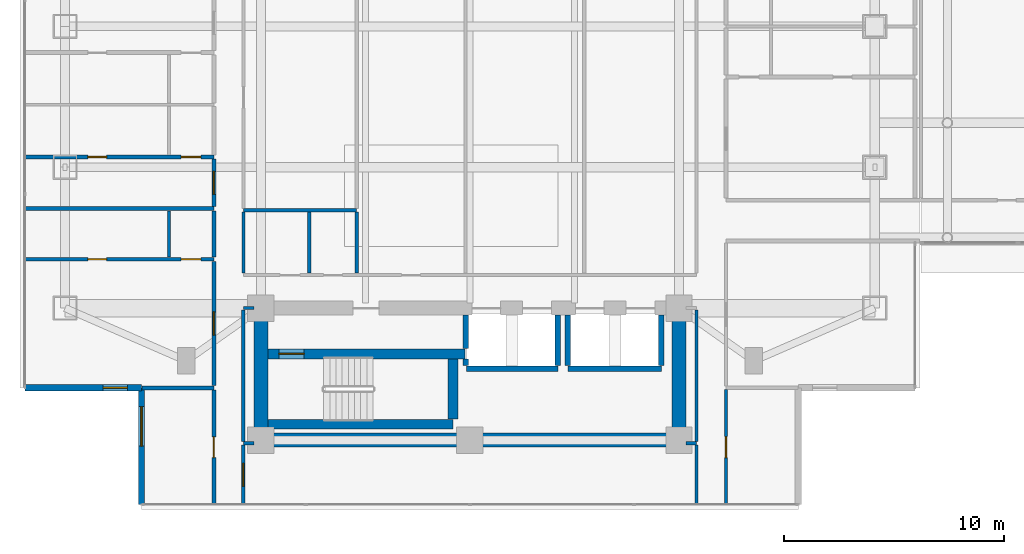
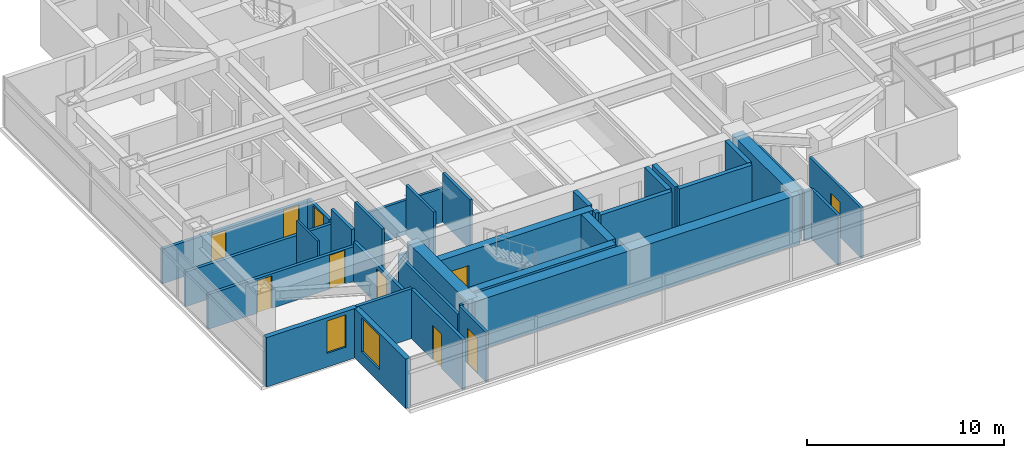
# One storey, part 15 of 29: 36 walls, 10 doors, 2 windows, 12 openings.
"""IFC4 building model written with IfcOpenShell, lengths in metres."""

from ifc_helpers import new_model, si_unit, direction, frame, frame_2d, origin, place, context, subcontext, project, spatial, rectangle, extrude, material, layer, layer_set, type_object, element, fill, save


model = new_model("IFC4")

# Units and contexts
model_context = context("Model", 3, precision=1e-05, world=origin(), true_north=direction((0.0, 1.0)))
body_context = subcontext(model_context, "Body", "Model", "MODEL_VIEW")
ifc_project = project(units=[si_unit("LENGTHUNIT", "METRE"), si_unit("AREAUNIT", "SQUARE_METRE"), si_unit("VOLUMEUNIT", "CUBIC_METRE"), si_unit("PLANEANGLEUNIT", "RADIAN"), si_unit("MASSUNIT", "GRAM", prefix="KILO")], contexts=[model_context])

# Site, building, storey
site_placement = place(None, origin())
site = spatial("IfcSite", under=ifc_project, at=site_placement, CompositionType="ELEMENT")
building_placement = place(site_placement, origin())
building = spatial("IfcBuilding", under=site, at=building_placement, Name="Mirazonda Arch Towers", CompositionType="ELEMENT")
storey_placement = place(building_placement, frame((0.0, 0.0, 88.39990234375)))
storey = spatial("IfcBuildingStorey", under=building, at=storey_placement, Name="L24", CompositionType="ELEMENT", Elevation=88.39990234375)

# Wall
ifc_material_1 = material(Name="Concrete C50/60", Category="concrete")
ifc_layer_1 = layer(ifc_material_1, 0.449951171875, Name="WALL-CORE-450")
ifc_layer_set_1 = layer_set([ifc_layer_1], Name="Concrete C50/60")
wall_type_1 = type_object("IfcWallType", Name="WALL-CORE-450", PredefinedType="SHEAR", material=ifc_layer_set_1)
wall_1_placement = place(storey_placement, frame((11.320068359375, 13.1201171875, 0.0), z_axis=(0.0, 0.0, 1.0), x_axis=(1.0, 0.0, 0.0)))
element("IfcWall", 1, at=wall_1_placement, inside=storey, type_object=wall_type_1, Name="L24 Stair Core Shear Wall 003", PredefinedType="SHEAR", context=body_context, shape_type="SweptSolid", body=[
    extrude(rectangle(XDim=8.409912109375, YDim=0.449951171875, at=frame_2d((4.205078125, 0.0))), origin(), (0.0, 0.0, 1.0), 3.080078125),
])

# Wall, opening, door
wall_2_placement = place(storey_placement, frame((11.320068359375, 16.320068359375, 0.0), z_axis=(0.0, 0.0, 1.0), x_axis=(1.0, 0.0, 0.0)))
wall_2 = element("IfcWall", 2, at=wall_2_placement, inside=storey, type_object=wall_type_1, Name="L24 Stair Core Shear Wall 008", PredefinedType="SHEAR", context=body_context, shape_type="SweptSolid", body=[
    extrude(rectangle(XDim=8.9599609375, YDim=0.449951171875, at=frame_2d((4.47998046875, 0.0))), origin(), (0.0, 0.0, 1.0), 3.080078125),
])
opening_1_placement = place(wall_2_placement, frame((0.4951171875, 0.0, 0.0)))
opening_1 = element("IfcOpeningElement", 3, at=opening_1_placement, cuts=wall_2, Name="Opening DR-135", PredefinedType="OPENING", context=body_context, shape_type="SweptSolid", body=[
    extrude(rectangle(XDim=1.14990234375, YDim=2.199951171875, at=frame_2d((0.574951171875, 1.10009765625))), frame((0.0, 0.23486328125, 0.0), z_axis=(0.0, -1.0, 0.0), x_axis=(1.0, 0.0, 0.0)), (0.0, 0.0, 1.0), 0.469970703125),
])
ifc_material_2 = material(Name="Architectural Brushed Steel S355", Category="steel")
door_type_1 = type_object("IfcDoorType", Name="DOOR-STAIR-FD90-1150", OperationType="NOTDEFINED", PredefinedType="DOOR", material=ifc_material_2)
door_1_placement = place(opening_1_placement, origin())
door_1 = element("IfcDoor", 4, at=door_1_placement, inside=storey, type_object=door_type_1, Name="L24 Protected Exit Stair South Door", OperationType="SINGLE_SWING_LEFT", OverallHeight=2.199951171875, OverallWidth=1.14990234375, PredefinedType="DOOR", context=body_context, shape_type="SweptSolid", body=[
    extrude(rectangle(XDim=1.14990234375, YDim=2.199951171875, at=frame_2d((0.574951171875, 1.10009765625))), frame((0.0, 0.02490234375, 0.0), z_axis=(0.0, -1.0, 0.0), x_axis=(1.0, 0.0, 0.0)), (0.0, 0.0, 1.0), 0.050048828125),
])
fill(opening_1, door_1)

# Walls
wall_3_placement = place(storey_placement, frame((19.72998046875, 13.35498046875, 0.0), z_axis=(0.0, 0.0, 1.0), x_axis=(0.0, 1.0, 0.0)))
element("IfcWall", 5, at=wall_3_placement, inside=storey, type_object=wall_type_1, Name="L24 Stair Core Shear Wall 091", PredefinedType="SHEAR", context=body_context, shape_type="SweptSolid", body=[
    extrude(rectangle(XDim=2.72998046875, YDim=0.449951171875, at=frame_2d((1.364990234375, 0.0))), origin(), (0.0, 0.0, 1.0), 3.080078125),
])
ifc_material_3 = material(Name="Concrete C60/75", Category="concrete")
ifc_layer_2 = layer(ifc_material_3, 0.64990234375, Name="WALL-CORE-650")
ifc_layer_set_2 = layer_set([ifc_layer_2], Name="Concrete C60/75")
wall_type_2 = type_object("IfcWallType", Name="WALL-CORE-650", PredefinedType="SHEAR", material=ifc_layer_set_2)
wall_4_placement = place(storey_placement, frame((11.0, 12.39990234375, 0.0), z_axis=(0.0, 0.0, 1.0), x_axis=(1.0, 0.0, 0.0)))
element("IfcWall", 6, at=wall_4_placement, inside=storey, type_object=wall_type_2, Name="L24 T1S-S Core Shear Wall", PredefinedType="SHEAR", context=body_context, shape_type="SweptSolid", body=[
    extrude(rectangle(XDim=19.0, YDim=0.64990234375, at=frame_2d((9.5, 0.0))), origin(), (0.0, 0.0, 1.0), 3.080078125),
])
for number, where, z_axis, x_axis, name in (
    (7, (11.0, 12.39990234375, 0.0), (0.0, 0.0, 1.0), (0.0, 1.0, 0.0), "L24 T1S-W Core Shear Wall"),
    (8, (30.0, 12.39990234375, 0.0), (0.0, 0.0, 1.0), (0.0, 1.0, 0.0), "L24 T1S-E Core Shear Wall"),
):
    element("IfcWall", number, at=place(storey_placement, frame(where, z_axis=z_axis, x_axis=x_axis)), inside=storey, type_object=wall_type_2, Name=name, PredefinedType="SHEAR", context=body_context, shape_type="SweptSolid", body=[
        extrude(rectangle(XDim=6.0, YDim=0.64990234375, at=frame_2d((3.0, 0.0))), origin(), (0.0, 0.0, 1.0), 3.080078125),
    ])

# Wall, opening, window
ifc_material_4 = material(Name="Precast Concrete C40/50", Category="concrete")
ifc_layer_3 = layer(ifc_material_4, 0.280029296875, Name="WALL-EXT-WALL-280")
ifc_layer_set_3 = layer_set([ifc_layer_3], Name="Precast Concrete C40/50")
wall_type_3 = type_object("IfcWallType", Name="WALL-EXT-WALL-280", PredefinedType="SOLIDWALL", material=ifc_layer_set_3)
wall_5_placement = place(storey_placement, frame((5.574951171875, 14.77490234375, 0.0), z_axis=(0.0, 0.0, 1.0), x_axis=(0.0, -1.0, 0.0)))
wall_5 = element("IfcWall", 9, at=wall_5_placement, inside=storey, type_object=wall_type_3, Name="L24 T1 Notched SW Corner Wall WL-L24-T1-CSW", PredefinedType="SOLIDWALL", context=body_context, shape_type="SweptSolid", body=[
    extrude(rectangle(XDim=5.304931640625, YDim=0.280029296875, at=frame_2d((2.65234375, 0.0))), origin(), (0.0, 0.0, 1.0), 3.06005859375),
])
opening_2_placement = place(wall_5_placement, frame((0.85009765625, 0.0, 0.81005859375)))
opening_2 = element("IfcOpeningElement", 10, at=opening_2_placement, cuts=wall_5, Name="Opening WN-116", PredefinedType="OPENING", context=body_context, shape_type="SweptSolid", body=[
    extrude(rectangle(XDim=1.800048828125, YDim=2.10009765625, at=frame_2d((0.89990234375, 1.050048828125))), frame((0.0, 0.14990234375, 0.0), z_axis=(0.0, -1.0, 0.0), x_axis=(1.0, 0.0, 0.0)), (0.0, 0.0, 1.0), 0.300048828125),
])
ifc_material_5 = material(Name="Insulated Low-E Solar Glass", Category="glass")
window_type_1 = type_object("IfcWindowType", Name="WIN-HTL-1800x2100", PartitioningType="SINGLE_PANEL", PredefinedType="WINDOW", material=ifc_material_5)
window_1_placement = place(opening_2_placement, origin())
window_1 = element("IfcWindow", 11, at=window_1_placement, inside=storey, type_object=window_type_1, Name="L24 Punched Facade Window WN-L24-T1-CSW", OverallHeight=2.10009765625, OverallWidth=1.800048828125, PartitioningType="SINGLE_PANEL", PredefinedType="WINDOW", context=body_context, shape_type="SweptSolid", body=[
    extrude(rectangle(XDim=1.800048828125, YDim=2.10009765625, at=frame_2d((0.89990234375, 1.050048828125))), frame((0.0, 0.030029296875, 0.0), z_axis=(0.0, -1.0, 0.0), x_axis=(1.0, 0.0, 0.0)), (0.0, 0.0, 1.0), 0.06005859375),
])
fill(opening_2, window_1)

wall_6_placement = place(storey_placement, frame((0.27001953125, 14.77490234375, 0.0), z_axis=(0.0, 0.0, 1.0), x_axis=(1.0, 0.0, 0.0)))
wall_6 = element("IfcWall", 12, at=wall_6_placement, inside=storey, type_object=wall_type_3, Name="L24 T1 Corner Notch Return Wall WL-L24-T1-CSW2", PredefinedType="SOLIDWALL", context=body_context, shape_type="SweptSolid", body=[
    extrude(rectangle(XDim=5.304931640625, YDim=0.280029296875, at=frame_2d((2.65234375, 0.0))), origin(), (0.0, 0.0, 1.0), 3.06005859375),
])
opening_3_placement = place(wall_6_placement, frame((3.554931640625, 0.0, 0.85009765625)))
opening_3 = element("IfcOpeningElement", 13, at=opening_3_placement, cuts=wall_6, Name="Opening WN-108", PredefinedType="OPENING", context=body_context, shape_type="SweptSolid", body=[
    extrude(rectangle(XDim=1.10009765625, YDim=2.0, at=frame_2d((0.550048828125, 1.0))), frame((0.0, 0.14990234375, 0.0), z_axis=(0.0, -1.0, 0.0), x_axis=(1.0, 0.0, 0.0)), (0.0, 0.0, 1.0), 0.300048828125),
])
window_type_2 = type_object("IfcWindowType", Name="WIN-NOTCH-1100x2000", PartitioningType="SINGLE_PANEL", PredefinedType="WINDOW", material=ifc_material_5)
window_2_placement = place(opening_3_placement, origin())
window_2 = element("IfcWindow", 14, at=window_2_placement, inside=storey, type_object=window_type_2, Name="L24 Punched Facade Window WN-L24-T1-CSW2", OverallHeight=2.0, OverallWidth=1.10009765625, PartitioningType="SINGLE_PANEL", PredefinedType="WINDOW", context=body_context, shape_type="SweptSolid", body=[
    extrude(rectangle(XDim=1.10009765625, YDim=2.0, at=frame_2d((0.550048828125, 1.0))), frame((0.0, 0.030029296875, 0.0), z_axis=(0.0, -1.0, 0.0), x_axis=(1.0, 0.0, 0.0)), (0.0, 0.0, 1.0), 0.06005859375),
])
fill(opening_3, window_2)

# Walls
ifc_material_6 = material(Name="Fire-Rated Gypsum Stud Partition")
ifc_layer_4 = layer(ifc_material_6, 0.14990234375, Name="WALL-PART-CORR-150")
ifc_layer_set_4 = layer_set([ifc_layer_4], Name="Fire-Rated Gypsum Stud Partition")
wall_type_4 = type_object("IfcWallType", Name="WALL-PART-CORR-150", PredefinedType="PARTITIONING", material=ifc_layer_set_4)
for number, where, z_axis, x_axis, name in (
    (15, (10.199951171875, 12.25, 0.0), (0.0, 0.0, 1.0), (1.0, 0.0, 0.0), "L24 Interior Partition 001"),
    (16, (30.320068359375, 12.25, 0.0), (0.0, 0.0, 1.0), (1.0, 0.0, 0.0), "L24 Interior Partition 002"),
):
    element("IfcWall", number, at=place(storey_placement, frame(where, z_axis=z_axis, x_axis=x_axis)), inside=storey, type_object=wall_type_4, Name=name, PredefinedType="PARTITIONING", context=body_context, shape_type="SweptSolid", body=[
        extrude(rectangle(XDim=0.47998046875, YDim=0.14990234375, at=frame_2d((0.239990234375, 0.0))), origin(), (0.0, 0.0, 1.0), 3.080078125),
    ])
wall_7_placement = place(storey_placement, frame((10.199951171875, 18.39990234375, 0.0), z_axis=(0.0, 0.0, 1.0), x_axis=(1.0, 0.0, 0.0)))
element("IfcWall", 17, at=wall_7_placement, inside=storey, type_object=wall_type_4, Name="L24 Interior Partition 012", PredefinedType="PARTITIONING", context=body_context, shape_type="SweptSolid", body=[
    extrude(rectangle(XDim=0.47998046875, YDim=0.14990234375, at=frame_2d((0.239990234375, 0.0))), origin(), (0.0, 0.0, 1.0), 2.4560546875),
])
wall_8_placement = place(storey_placement, frame((10.199951171875, 22.85009765625, 0.0), z_axis=(0.0, 0.0, 1.0), x_axis=(1.0, 0.0, 0.0)))
element("IfcWall", 18, at=wall_8_placement, inside=storey, type_object=wall_type_4, Name="L24 Interior Partition 025", PredefinedType="PARTITIONING", context=body_context, shape_type="SweptSolid", body=[
    extrude(rectangle(XDim=5.150146484375, YDim=0.14990234375, at=frame_2d((2.5751953125, 0.0))), origin(), (0.0, 0.0, 1.0), 2.1240234375),
])

# Wall, opening, door
wall_9_placement = place(storey_placement, frame((10.199951171875, 9.469970703125, 0.0), z_axis=(0.0, 0.0, 1.0), x_axis=(0.0, 1.0, 0.0)))
wall_9 = element("IfcWall", 19, at=wall_9_placement, inside=storey, type_object=wall_type_4, Name="L24 Interior Partition 079", PredefinedType="PARTITIONING", context=body_context, shape_type="SweptSolid", body=[
    extrude(rectangle(XDim=2.695068359375, YDim=0.14990234375, at=frame_2d((1.34765625, 0.0))), origin(), (0.0, 0.0, 1.0), 3.080078125),
])
opening_4_placement = place(wall_9_placement, frame((0.822509765625, 0.0, 0.0)))
opening_4 = element("IfcOpeningElement", 20, at=opening_4_placement, cuts=wall_9, Name="Opening DR-121", PredefinedType="OPENING", context=body_context, shape_type="SweptSolid", body=[
    extrude(rectangle(XDim=1.050048828125, YDim=2.199951171875, at=frame_2d((0.52490234375, 1.10009765625))), frame((0.0, 0.0849609375, 0.0), z_axis=(0.0, -1.0, 0.0), x_axis=(1.0, 0.0, 0.0)), (0.0, 0.0, 1.0), 0.169921875),
])
door_type_2 = type_object("IfcDoorType", Name="DOOR-SUITE-FD60-1050", OperationType="NOTDEFINED", PredefinedType="DOOR", material=ifc_material_2)
door_2_placement = place(opening_4_placement, origin())
door_2 = element("IfcDoor", 21, at=door_2_placement, inside=storey, type_object=door_type_2, Name="L24 South Horizon Lounge Gallery Door", OperationType="SINGLE_SWING_RIGHT", OverallHeight=2.199951171875, OverallWidth=1.050048828125, PredefinedType="DOOR", context=body_context, shape_type="SweptSolid", body=[
    extrude(rectangle(XDim=1.050048828125, YDim=2.199951171875, at=frame_2d((0.52490234375, 1.10009765625))), frame((0.0, 0.02490234375, 0.0), z_axis=(0.0, -1.0, 0.0), x_axis=(1.0, 0.0, 0.0)), (0.0, 0.0, 1.0), 0.050048828125),
])
fill(opening_4, door_2)

# Walls
wall_10_placement = place(storey_placement, frame((10.199951171875, 12.3349609375, 0.0), z_axis=(0.0, 0.0, 1.0), x_axis=(0.0, 1.0, 0.0)))
element("IfcWall", 22, at=wall_10_placement, inside=storey, type_object=wall_type_4, Name="L24 Interior Partition 080", PredefinedType="PARTITIONING", context=body_context, shape_type="SweptSolid", body=[
    extrude(rectangle(XDim=5.97998046875, YDim=0.14990234375, at=frame_2d((2.989990234375, 0.0))), origin(), (0.0, 0.0, 1.0), 2.4560546875),
])
for number, where, z_axis, x_axis, name in (
    (23, (10.206787109375, 19.985107421875, 0.0), (0.0, 0.0, 1.0), (0.0, 1.0, 0.0), "L24 Interior Partition 081"),
    (24, (13.199951171875, 19.985107421875, 0.0), (0.0, 0.0, 1.0), (0.0, 1.0, 0.0), "L24 Interior Partition 086"),
    (25, (15.35009765625, 19.985107421875, 0.0), (0.0, 0.0, 1.0), (0.0, 1.0, 0.0), "L24 Interior Partition 087"),
):
    element("IfcWall", number, at=place(storey_placement, frame(where, z_axis=z_axis, x_axis=x_axis)), inside=storey, type_object=wall_type_4, Name=name, PredefinedType="PARTITIONING", context=body_context, shape_type="SweptSolid", body=[
        extrude(rectangle(XDim=2.77978515625, YDim=0.14990234375, at=frame_2d((1.389892578125, 0.0))), origin(), (0.0, 0.0, 1.0), 3.080078125),
    ])
wall_11_placement = place(storey_placement, frame((30.800048828125, 9.469970703125, 0.0), z_axis=(0.0, 0.0, 1.0), x_axis=(0.0, 1.0, 0.0)))
element("IfcWall", 26, at=wall_11_placement, inside=storey, type_object=wall_type_4, Name="L24 Interior Partition 106", PredefinedType="PARTITIONING", context=body_context, shape_type="SweptSolid", body=[
    extrude(rectangle(XDim=2.695068359375, YDim=0.14990234375, at=frame_2d((1.34765625, 0.0))), origin(), (0.0, 0.0, 1.0), 3.080078125),
])
wall_12_placement = place(storey_placement, frame((30.800048828125, 12.3349609375, 0.0), z_axis=(0.0, 0.0, 1.0), x_axis=(0.0, 1.0, 0.0)))
element("IfcWall", 27, at=wall_12_placement, inside=storey, type_object=wall_type_4, Name="L24 Interior Partition 107", PredefinedType="PARTITIONING", context=body_context, shape_type="SweptSolid", body=[
    extrude(rectangle(XDim=5.97998046875, YDim=0.14990234375, at=frame_2d((2.989990234375, 0.0))), origin(), (0.0, 0.0, 1.0), 2.4560546875),
])

# Wall, opening, door
wall_13_placement = place(storey_placement, frame((32.139892578125, 9.469970703125, 0.0), z_axis=(0.0, 0.0, 1.0), x_axis=(0.0, 1.0, 0.0)))
wall_13 = element("IfcWall", 28, at=wall_13_placement, inside=storey, type_object=wall_type_4, Name="L24 Interior Partition 111", PredefinedType="PARTITIONING", context=body_context, shape_type="SweptSolid", body=[
    extrude(rectangle(XDim=5.219970703125, YDim=0.14990234375, at=frame_2d((2.60986328125, 0.0))), origin(), (0.0, 0.0, 1.0), 3.080078125),
])
opening_5_placement = place(wall_13_placement, frame((2.135009765625, 0.0, 0.0)))
opening_5 = element("IfcOpeningElement", 29, at=opening_5_placement, cuts=wall_13, Name="Opening DR-104", PredefinedType="OPENING", context=body_context, shape_type="SweptSolid", body=[
    extrude(rectangle(XDim=0.949951171875, YDim=2.14990234375, at=frame_2d((0.47509765625, 1.074951171875))), frame((0.0, 0.0849609375, 0.0), z_axis=(0.0, -1.0, 0.0), x_axis=(1.0, 0.0, 0.0)), (0.0, 0.0, 1.0), 0.169921875),
])
door_type_3 = type_object("IfcDoorType", Name="DOOR-ROOM-950", OperationType="NOTDEFINED", PredefinedType="DOOR", material=ifc_material_2)
door_3_placement = place(opening_5_placement, origin())
door_3 = element("IfcDoor", 30, at=door_3_placement, inside=storey, type_object=door_type_3, Name="L24 South Horizon Lounge Alcove East Door", OperationType="SINGLE_SWING_RIGHT", OverallHeight=2.14990234375, OverallWidth=0.949951171875, PredefinedType="DOOR", context=body_context, shape_type="SweptSolid", body=[
    extrude(rectangle(XDim=0.949951171875, YDim=2.14990234375, at=frame_2d((0.47509765625, 1.074951171875))), frame((0.0, 0.02490234375, 0.0), z_axis=(0.0, -1.0, 0.0), x_axis=(1.0, 0.0, 0.0)), (0.0, 0.0, 1.0), 0.050048828125),
])
fill(opening_5, door_3)

# Wall
ifc_material_7 = material(Name="Fire-Rated Gypsum Twin-Stud Assembly")
ifc_layer_5 = layer(ifc_material_7, 0.179931640625, Name="WALL-PART-DEMISE-180")
ifc_layer_set_5 = layer_set([ifc_layer_5], Name="Fire-Rated Gypsum Twin-Stud Assembly")
wall_type_5 = type_object("IfcWallType", Name="WALL-PART-DEMISE-180", PredefinedType="PARTITIONING", material=ifc_layer_set_5)
wall_14_placement = place(storey_placement, frame((5.594970703125, 14.77490234375, 0.0), z_axis=(0.0, 0.0, 1.0), x_axis=(1.0, 0.0, 0.0)))
element("IfcWall", 31, at=wall_14_placement, inside=storey, type_object=wall_type_5, Name="L24 Interior Partition 004", PredefinedType="PARTITIONING", context=body_context, shape_type="SweptSolid", body=[
    extrude(rectangle(XDim=3.26513671875, YDim=0.179931640625, at=frame_2d((1.632568359375, 0.0))), origin(), (0.0, 0.0, 1.0), 3.080078125),
])

# Wall, openings, doors
wall_15_placement = place(storey_placement, frame((0.27001953125, 20.617919921875, 0.0), z_axis=(0.0, 0.0, 1.0), x_axis=(1.0, 0.0, 0.0)))
wall_15 = element("IfcWall", 32, at=wall_15_placement, inside=storey, type_object=wall_type_5, Name="L24 Interior Partition 018", PredefinedType="PARTITIONING", context=body_context, shape_type="SweptSolid", body=[
    extrude(rectangle(XDim=8.590087890625, YDim=0.179931640625, at=frame_2d((4.294921875, 0.0))), origin(), (0.0, 0.0, 1.0), 2.14501953125),
])
opening_6_placement = place(wall_15_placement, frame((2.8701171875, 0.0, 0.0)))
opening_6 = element("IfcOpeningElement", 33, at=opening_6_placement, cuts=wall_15, Name="Opening DR-128", PredefinedType="OPENING", context=body_context, shape_type="SweptSolid", body=[
    extrude(rectangle(XDim=0.85009765625, YDim=2.010009765625, at=frame_2d((0.425048828125, 1.0048828125))), frame((0.0, 0.099853515625, 0.0), z_axis=(0.0, -1.0, 0.0), x_axis=(1.0, 0.0, 0.0)), (0.0, 0.0, 1.0), 0.199951171875),
])
opening_7_placement = place(wall_15_placement, frame((7.10009765625, 0.0, 0.0)))
opening_7 = element("IfcOpeningElement", 34, at=opening_7_placement, cuts=wall_15, Name="Opening DR-120", PredefinedType="OPENING", context=body_context, shape_type="SweptSolid", body=[
    extrude(rectangle(XDim=0.89990234375, YDim=2.10009765625, at=frame_2d((0.449951171875, 1.050048828125))), frame((0.0, 0.099853515625, 0.0), z_axis=(0.0, -1.0, 0.0), x_axis=(1.0, 0.0, 0.0)), (0.0, 0.0, 1.0), 0.199951171875),
])
door_type_4 = type_object("IfcDoorType", Name="DOOR-RISER-FD60-850", OperationType="NOTDEFINED", PredefinedType="DOOR", material=ifc_material_2)
door_4_placement = place(opening_6_placement, origin())
door_4 = element("IfcDoor", 35, at=door_4_placement, inside=storey, type_object=door_type_4, Name="L24 Guestroom Study 1 Door", OperationType="SINGLE_SWING_RIGHT", OverallHeight=2.010009765625, OverallWidth=0.85009765625, PredefinedType="DOOR", context=body_context, shape_type="SweptSolid", body=[
    extrude(rectangle(XDim=0.85009765625, YDim=2.010009765625, at=frame_2d((0.425048828125, 1.0048828125))), frame((0.0, 0.02490234375, 0.0), z_axis=(0.0, -1.0, 0.0), x_axis=(1.0, 0.0, 0.0)), (0.0, 0.0, 1.0), 0.050048828125),
])
fill(opening_6, door_4)
door_type_5 = type_object("IfcDoorType", Name="DOOR-WC-900", OperationType="NOTDEFINED", PredefinedType="DOOR", material=ifc_material_2)
door_5_placement = place(opening_7_placement, origin())
door_5 = element("IfcDoor", 36, at=door_5_placement, inside=storey, type_object=door_type_5, Name="L24 En-Suite Bathroom 1 Door", OperationType="SINGLE_SWING_LEFT", OverallHeight=2.10009765625, OverallWidth=0.89990234375, PredefinedType="DOOR", context=body_context, shape_type="SweptSolid", body=[
    extrude(rectangle(XDim=0.89990234375, YDim=2.10009765625, at=frame_2d((0.449951171875, 1.050048828125))), frame((0.0, 0.02490234375, 0.0), z_axis=(0.0, -1.0, 0.0), x_axis=(1.0, 0.0, 0.0)), (0.0, 0.0, 1.0), 0.050048828125),
])
fill(opening_7, door_5)

# Wall
wall_16_placement = place(storey_placement, frame((0.27001953125, 22.91796875, 0.0), z_axis=(0.0, 0.0, 1.0), x_axis=(1.0, 0.0, 0.0)))
element("IfcWall", 37, at=wall_16_placement, inside=storey, type_object=wall_type_5, Name="L24 Interior Partition 024", PredefinedType="PARTITIONING", context=body_context, shape_type="SweptSolid", body=[
    extrude(rectangle(XDim=8.590087890625, YDim=0.179931640625, at=frame_2d((4.294921875, 0.0))), origin(), (0.0, 0.0, 1.0), 2.14501953125),
])

# Wall, openings, doors
wall_17_placement = place(storey_placement, frame((0.27001953125, 25.26708984375, 0.0), z_axis=(0.0, 0.0, 1.0), x_axis=(1.0, 0.0, 0.0)))
wall_17 = element("IfcWall", 38, at=wall_17_placement, inside=storey, type_object=wall_type_5, Name="L24 Interior Partition 029", PredefinedType="PARTITIONING", context=body_context, shape_type="SweptSolid", body=[
    extrude(rectangle(XDim=8.590087890625, YDim=0.179931640625, at=frame_2d((4.294921875, 0.0))), origin(), (0.0, 0.0, 1.0), 2.14501953125),
])
opening_8_placement = place(wall_17_placement, frame((2.8701171875, 0.0, 0.0)))
opening_8 = element("IfcOpeningElement", 39, at=opening_8_placement, cuts=wall_17, Name="Opening DR-128", PredefinedType="OPENING", context=body_context, shape_type="SweptSolid", body=[
    extrude(rectangle(XDim=0.85009765625, YDim=2.010009765625, at=frame_2d((0.425048828125, 1.0048828125))), frame((0.0, 0.099853515625, 0.0), z_axis=(0.0, -1.0, 0.0), x_axis=(1.0, 0.0, 0.0)), (0.0, 0.0, 1.0), 0.199951171875),
])
opening_9_placement = place(wall_17_placement, frame((7.10009765625, 0.0, 0.0)))
opening_9 = element("IfcOpeningElement", 40, at=opening_9_placement, cuts=wall_17, Name="Opening DR-120", PredefinedType="OPENING", context=body_context, shape_type="SweptSolid", body=[
    extrude(rectangle(XDim=0.89990234375, YDim=2.10009765625, at=frame_2d((0.449951171875, 1.050048828125))), frame((0.0, 0.099853515625, 0.0), z_axis=(0.0, -1.0, 0.0), x_axis=(1.0, 0.0, 0.0)), (0.0, 0.0, 1.0), 0.199951171875),
])
door_6_placement = place(opening_8_placement, origin())
door_6 = element("IfcDoor", 41, at=door_6_placement, inside=storey, type_object=door_type_4, Name="L24 Guestroom Study 2 Door", OperationType="SINGLE_SWING_LEFT", OverallHeight=2.010009765625, OverallWidth=0.85009765625, PredefinedType="DOOR", context=body_context, shape_type="SweptSolid", body=[
    extrude(rectangle(XDim=0.85009765625, YDim=2.010009765625, at=frame_2d((0.425048828125, 1.0048828125))), frame((0.0, 0.02490234375, 0.0), z_axis=(0.0, -1.0, 0.0), x_axis=(1.0, 0.0, 0.0)), (0.0, 0.0, 1.0), 0.050048828125),
])
fill(opening_8, door_6)
door_7_placement = place(opening_9_placement, origin())
door_7 = element("IfcDoor", 42, at=door_7_placement, inside=storey, type_object=door_type_5, Name="L24 En-Suite Bathroom 2 Door", OperationType="SINGLE_SWING_RIGHT", OverallHeight=2.10009765625, OverallWidth=0.89990234375, PredefinedType="DOOR", context=body_context, shape_type="SweptSolid", body=[
    extrude(rectangle(XDim=0.89990234375, YDim=2.10009765625, at=frame_2d((0.449951171875, 1.050048828125))), frame((0.0, 0.02490234375, 0.0), z_axis=(0.0, -1.0, 0.0), x_axis=(1.0, 0.0, 0.0)), (0.0, 0.0, 1.0), 0.050048828125),
])
fill(opening_9, door_7)

# Wall, opening, door
wall_18_placement = place(storey_placement, frame((8.860107421875, 9.469970703125, 0.0), z_axis=(0.0, 0.0, 1.0), x_axis=(0.0, 1.0, 0.0)))
wall_18 = element("IfcWall", 43, at=wall_18_placement, inside=storey, type_object=wall_type_5, Name="L24 Interior Partition 069", PredefinedType="PARTITIONING", context=body_context, shape_type="SweptSolid", body=[
    extrude(rectangle(XDim=5.205078125, YDim=0.179931640625, at=frame_2d((2.6025390625, 0.0))), origin(), (0.0, 0.0, 1.0), 3.080078125),
])
opening_10_placement = place(wall_18_placement, frame((2.12744140625, 0.0, 0.0)))
opening_10 = element("IfcOpeningElement", 44, at=opening_10_placement, cuts=wall_18, Name="Opening DR-104", PredefinedType="OPENING", context=body_context, shape_type="SweptSolid", body=[
    extrude(rectangle(XDim=0.949951171875, YDim=2.14990234375, at=frame_2d((0.47509765625, 1.074951171875))), frame((0.0, 0.099853515625, 0.0), z_axis=(0.0, -1.0, 0.0), x_axis=(1.0, 0.0, 0.0)), (0.0, 0.0, 1.0), 0.199951171875),
])
door_8_placement = place(opening_10_placement, origin())
door_8 = element("IfcDoor", 45, at=door_8_placement, inside=storey, type_object=door_type_3, Name="L24 South Horizon Lounge Alcove West Door", OperationType="SINGLE_SWING_LEFT", OverallHeight=2.14990234375, OverallWidth=0.949951171875, PredefinedType="DOOR", context=body_context, shape_type="SweptSolid", body=[
    extrude(rectangle(XDim=0.949951171875, YDim=2.14990234375, at=frame_2d((0.47509765625, 1.074951171875))), frame((0.0, 0.02490234375, 0.0), z_axis=(0.0, -1.0, 0.0), x_axis=(1.0, 0.0, 0.0)), (0.0, 0.0, 1.0), 0.050048828125),
])
fill(opening_10, door_8)

wall_19_placement = place(storey_placement, frame((8.860107421875, 14.875, 0.0), z_axis=(0.0, 0.0, 1.0), x_axis=(0.0, 1.0, 0.0)))
wall_19 = element("IfcWall", 46, at=wall_19_placement, inside=storey, type_object=wall_type_5, Name="L24 Interior Partition 070", PredefinedType="PARTITIONING", context=body_context, shape_type="SweptSolid", body=[
    extrude(rectangle(XDim=5.64306640625, YDim=0.179931640625, at=frame_2d((2.821533203125, 0.0))), origin(), (0.0, 0.0, 1.0), 2.4560546875),
])
opening_11_placement = place(wall_19_placement, frame((2.29638671875, 0.0, 0.0)))
opening_11 = element("IfcOpeningElement", 47, at=opening_11_placement, cuts=wall_19, Name="Opening DR-121", PredefinedType="OPENING", context=body_context, shape_type="SweptSolid", body=[
    extrude(rectangle(XDim=1.050048828125, YDim=2.199951171875, at=frame_2d((0.52490234375, 1.10009765625))), frame((0.0, 0.099853515625, 0.0), z_axis=(0.0, -1.0, 0.0), x_axis=(1.0, 0.0, 0.0)), (0.0, 0.0, 1.0), 0.199951171875),
])
door_9_placement = place(opening_11_placement, origin())
door_9 = element("IfcDoor", 48, at=door_9_placement, inside=storey, type_object=door_type_2, Name="L24 King Hotel Guestroom 1 Door", OperationType="SINGLE_SWING_LEFT", OverallHeight=2.199951171875, OverallWidth=1.050048828125, PredefinedType="DOOR", context=body_context, shape_type="SweptSolid", body=[
    extrude(rectangle(XDim=1.050048828125, YDim=2.199951171875, at=frame_2d((0.52490234375, 1.10009765625))), frame((0.0, 0.02490234375, 0.0), z_axis=(0.0, -1.0, 0.0), x_axis=(1.0, 0.0, 0.0)), (0.0, 0.0, 1.0), 0.050048828125),
])
fill(opening_11, door_9)

# Wall
wall_20_placement = place(storey_placement, frame((8.860107421875, 20.718017578125, 0.0), z_axis=(0.0, 0.0, 1.0), x_axis=(0.0, 1.0, 0.0)))
element("IfcWall", 49, at=wall_20_placement, inside=storey, type_object=wall_type_5, Name="L24 Interior Partition 071", PredefinedType="PARTITIONING", context=body_context, shape_type="SweptSolid", body=[
    extrude(rectangle(XDim=2.10009765625, YDim=0.179931640625, at=frame_2d((1.050048828125, 0.0))), origin(), (0.0, 0.0, 1.0), 3.080078125),
])

# Wall, opening, door
wall_21_placement = place(storey_placement, frame((8.860107421875, 23.01806640625, 0.0), z_axis=(0.0, 0.0, 1.0), x_axis=(0.0, 1.0, 0.0)))
wall_21 = element("IfcWall", 50, at=wall_21_placement, inside=storey, type_object=wall_type_5, Name="L24 Interior Partition 072", PredefinedType="PARTITIONING", context=body_context, shape_type="SweptSolid", body=[
    extrude(rectangle(XDim=2.14892578125, YDim=0.179931640625, at=frame_2d((1.074462890625, 0.0))), origin(), (0.0, 0.0, 1.0), 2.299072265625),
])
opening_12_placement = place(wall_21_placement, frame((0.549560546875, 0.0, 0.0)))
opening_12 = element("IfcOpeningElement", 51, at=opening_12_placement, cuts=wall_21, Name="Opening DR-121", PredefinedType="OPENING", context=body_context, shape_type="SweptSolid", body=[
    extrude(rectangle(XDim=1.050048828125, YDim=2.199951171875, at=frame_2d((0.52490234375, 1.10009765625))), frame((0.0, 0.099853515625, 0.0), z_axis=(0.0, -1.0, 0.0), x_axis=(1.0, 0.0, 0.0)), (0.0, 0.0, 1.0), 0.199951171875),
])
door_10_placement = place(opening_12_placement, origin())
door_10 = element("IfcDoor", 52, at=door_10_placement, inside=storey, type_object=door_type_2, Name="L24 Twin Hotel Guestroom 2 Door", OperationType="SINGLE_SWING_RIGHT", OverallHeight=2.199951171875, OverallWidth=1.050048828125, PredefinedType="DOOR", context=body_context, shape_type="SweptSolid", body=[
    extrude(rectangle(XDim=1.050048828125, YDim=2.199951171875, at=frame_2d((0.52490234375, 1.10009765625))), frame((0.0, 0.02490234375, 0.0), z_axis=(0.0, -1.0, 0.0), x_axis=(1.0, 0.0, 0.0)), (0.0, 0.0, 1.0), 0.050048828125),
])
fill(opening_12, door_10)

# Walls
ifc_material_8 = material(Name="Acoustic Fire-Rated Gypsum Partition")
ifc_layer_6 = layer(ifc_material_8, 0.125, Name="WALL-PART-UNIT-125")
ifc_layer_set_6 = layer_set([ifc_layer_6], Name="Acoustic Fire-Rated Gypsum Partition")
wall_type_6 = type_object("IfcWallType", Name="WALL-PART-UNIT-125", PredefinedType="PARTITIONING", material=ifc_layer_set_6)
wall_22_placement = place(storey_placement, frame((6.820068359375, 20.718017578125, 0.0), z_axis=(0.0, 0.0, 1.0), x_axis=(0.0, 1.0, 0.0)))
element("IfcWall", 53, at=wall_22_placement, inside=storey, type_object=wall_type_6, Name="L24 Interior Partition 065", PredefinedType="PARTITIONING", context=body_context, shape_type="SweptSolid", body=[
    extrude(rectangle(XDim=2.10009765625, YDim=0.125, at=frame_2d((1.050048828125, 0.0))), origin(), (0.0, 0.0, 1.0), 3.080078125),
])
ifc_material_9 = material(Name="Concrete C40/50", Category="concrete")
ifc_layer_7 = layer(ifc_material_9, 0.25, Name="WALL-SHAFT-250")
ifc_layer_set_7 = layer_set([ifc_layer_7], Name="Concrete C40/50")
wall_type_7 = type_object("IfcWallType", Name="WALL-SHAFT-250", PredefinedType="SOLIDWALL", material=ifc_layer_set_7)
wall_23_placement = place(storey_placement, frame((20.35009765625, 15.64990234375, 0.0), z_axis=(0.0, 0.0, 1.0), x_axis=(1.0, 0.0, 0.0)))
element("IfcWall", 54, at=wall_23_placement, inside=storey, type_object=wall_type_7, Name="L24 Interior Partition 006", PredefinedType="SOLIDWALL", context=body_context, shape_type="SweptSolid", body=[
    extrude(rectangle(XDim=4.14990234375, YDim=0.25, at=frame_2d((2.074951171875, 0.0))), origin(), (0.0, 0.0, 1.0), 3.080078125),
])
wall_24_placement = place(storey_placement, frame((24.949951171875, 15.64990234375, 0.0), z_axis=(0.0, 0.0, 1.0), x_axis=(1.0, 0.0, 0.0)))
element("IfcWall", 55, at=wall_24_placement, inside=storey, type_object=wall_type_7, Name="L24 Interior Partition 007", PredefinedType="SOLIDWALL", context=body_context, shape_type="SweptSolid", body=[
    extrude(rectangle(XDim=4.25, YDim=0.25, at=frame_2d((2.125, 0.0))), origin(), (0.0, 0.0, 1.0), 3.080078125),
])
wall_25_placement = place(storey_placement, frame((20.31494140625, 15.784912109375, 0.0), z_axis=(0.0, 0.0, 1.0), x_axis=(0.0, 1.0, 0.0)))
element("IfcWall", 56, at=wall_25_placement, inside=storey, type_object=wall_type_7, Name="L24 Interior Partition 093", PredefinedType="SOLIDWALL", context=body_context, shape_type="SweptSolid", body=[
    extrude(rectangle(XDim=0.300048828125, YDim=0.25, at=frame_2d((0.14990234375, 0.0))), origin(), (0.0, 0.0, 1.0), 3.080078125),
])
wall_26_placement = place(storey_placement, frame((20.31494140625, 16.554931640625, 0.0), z_axis=(0.0, 0.0, 1.0), x_axis=(0.0, 1.0, 0.0)))
element("IfcWall", 57, at=wall_26_placement, inside=storey, type_object=wall_type_7, Name="L24 Interior Partition 094", PredefinedType="SOLIDWALL", context=body_context, shape_type="SweptSolid", body=[
    extrude(rectangle(XDim=1.525146484375, YDim=0.25, at=frame_2d((0.7626953125, 0.0))), origin(), (0.0, 0.0, 1.0), 3.080078125),
])
for number, where, z_axis, x_axis, name in (
    (58, (24.5, 15.784912109375, 0.0), (0.0, 0.0, 1.0), (0.0, 1.0, 0.0), "L24 Interior Partition 097"),
    (59, (24.949951171875, 15.784912109375, 0.0), (0.0, 0.0, 1.0), (0.0, 1.0, 0.0), "L24 Interior Partition 099"),
    (60, (29.199951171875, 15.784912109375, 0.0), (0.0, 0.0, 1.0), (0.0, 1.0, 0.0), "L24 Interior Partition 103"),
):
    element("IfcWall", number, at=place(storey_placement, frame(where, z_axis=z_axis, x_axis=x_axis)), inside=storey, type_object=wall_type_7, Name=name, PredefinedType="SOLIDWALL", context=body_context, shape_type="SweptSolid", body=[
        extrude(rectangle(XDim=2.295166015625, YDim=0.25, at=frame_2d((1.1474609375, 0.0))), origin(), (0.0, 0.0, 1.0), 3.080078125),
    ])

save(model, "model.ifc")
